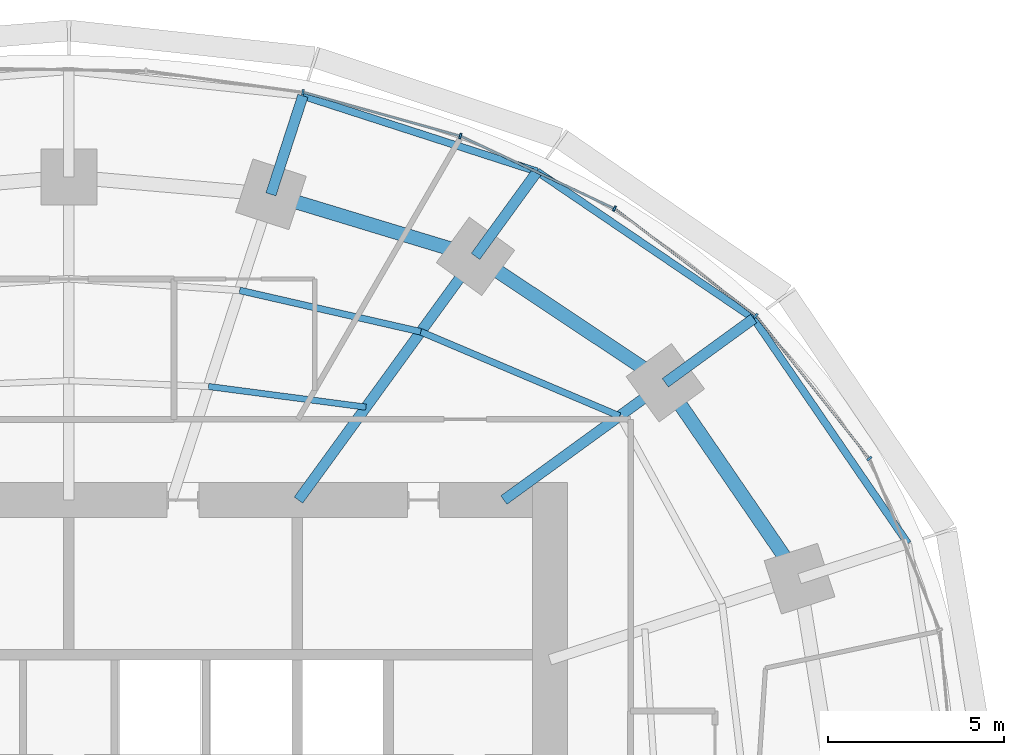
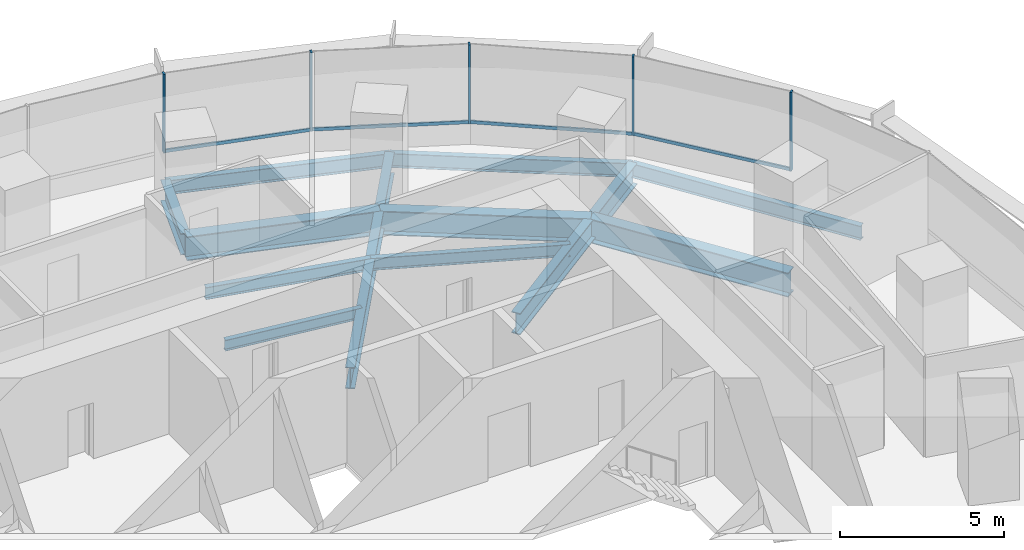
# One storey, part 8 of 14: 14 beams, 9 members, 2 elements without a shape of their own.
"""IFC4 building model written with IfcOpenShell, lengths in metres."""

from ifc_helpers import new_model, si_unit, direction, frame, origin, origin_2d, place, context, subcontext, project, spatial, rectangle, i_section, extrude, material, material_profile, profile_set, type_object, element, aggregate, save


model = new_model("IFC4")

# Units and contexts
model_context = context("Model", 3, precision=1e-05, world=origin(), true_north=direction((0.0, 1.0)))
body_context = subcontext(model_context, "Body", "Model", "MODEL_VIEW")
ifc_project = project(units=[si_unit("LENGTHUNIT", "METRE"), si_unit("AREAUNIT", "SQUARE_METRE"), si_unit("VOLUMEUNIT", "CUBIC_METRE"), si_unit("PLANEANGLEUNIT", "RADIAN"), si_unit("MASSUNIT", "GRAM", prefix="KILO")], contexts=[model_context])

# Site, building, storey
site_placement = place(None, origin())
site = spatial("IfcSite", under=ifc_project, at=site_placement, CompositionType="ELEMENT")
building_placement = place(site_placement, origin())
building = spatial("IfcBuilding", under=site, at=building_placement, Name="Marramba Exchange Tower", CompositionType="ELEMENT")
storey_placement = place(building_placement, frame((0.0, 0.0, 119.699951171875)))
storey = spatial("IfcBuildingStorey", under=building, at=storey_placement, Name="L28", CompositionType="ELEMENT", Elevation=119.699951171875)

# Beams
ifc_material_1 = material(Name="Steel AS/NZS 3679.2 grade 300", Category="steel")
ifc_material_profile_1 = material_profile(ifc_material_1, i_section(OverallWidth=0.300048828125, OverallDepth=0.800048828125, WebThickness=0.013916015625, FlangeThickness=0.031982421875, at=origin_2d()), Name="800WB192")
ifc_profile_set_1 = profile_set([ifc_material_profile_1], Name="Steel AS/NZS 3679.2 grade 300")
beam_type_1 = type_object("IfcBeamType", Name="Cantilever girder 800WB192", PredefinedType="BEAM", material=ifc_profile_set_1)
beam_1_placement = place(storey_placement, frame((16.98583984375, 12.3408203125, -0.56005859375), z_axis=(0.809013970709, 0.58778941399, 0.0), x_axis=(-0.58778941399, 0.809013970709, 0.0)))
element("IfcBeam", 1, at=beam_1_placement, inside=storey, type_object=beam_type_1, Name="Cantilever girder L28 TC03", PredefinedType="BEAM", context=body_context, shape_type="SweptSolid", body=[
    extrude(i_section(OverallWidth=0.300048828125, OverallDepth=0.800048828125, WebThickness=0.013916015625, FlangeThickness=0.031982421875, at=origin_2d()), origin(), (0.0, 0.0, 1.0), 3.1142578125),
])
beam_2_placement = place(storey_placement, frame((11.581298828125, 15.9404296875, -0.56005859375), z_axis=(0.587821738214, 0.808990484544, 0.0), x_axis=(-0.808990484544, 0.587821738214, 0.0)))
element("IfcBeam", 2, at=beam_2_placement, inside=storey, type_object=beam_type_1, Name="Cantilever girder L28 TC04", PredefinedType="BEAM", context=body_context, shape_type="SweptSolid", body=[
    extrude(i_section(OverallWidth=0.300048828125, OverallDepth=0.800048828125, WebThickness=0.013916015625, FlangeThickness=0.031982421875, at=origin_2d()), origin(), (0.0, 0.0, 1.0), 2.987060546875),
])
beam_3_placement = place(storey_placement, frame((5.75390625, 17.70849609375, -0.56005859375), z_axis=(0.309018704887, 0.951055960514, 0.0), x_axis=(-0.951055960514, 0.309018704887, 0.0)))
element("IfcBeam", 3, at=beam_3_placement, inside=storey, type_object=beam_type_1, Name="Cantilever girder L28 TC05", PredefinedType="BEAM", context=body_context, shape_type="SweptSolid", body=[
    extrude(i_section(OverallWidth=0.300048828125, OverallDepth=0.800048828125, WebThickness=0.013916015625, FlangeThickness=0.031982421875, at=origin_2d()), origin(), (0.0, 0.0, 1.0), 2.949951171875),
])
ifc_material_2 = material(Name="Steel AS/NZS 3679.1 grade 300", Category="steel")
ifc_material_profile_2 = material_profile(ifc_material_2, i_section(OverallWidth=0.177978515625, OverallDepth=0.406005859375, WebThickness=0.0078125, FlangeThickness=0.0126953125, FilletRadius=0.011474609375, at=origin_2d()), Name="410UB59.7")
ifc_profile_set_2 = profile_set([ifc_material_profile_2], Name="Steel AS/NZS 3679.1 grade 300")
beam_type_2 = type_object("IfcBeamType", Name="Floor joist 410UB59.7", PredefinedType="JOIST", material=ifc_profile_set_2)
beam_4_placement = place(storey_placement, frame((8.4619140625, 11.646728515625, -0.363037109375), z_axis=(-0.991480538255, 0.130254912618, 0.0), x_axis=(-0.130254912618, -0.991480538255, 0.0)))
element("IfcBeam", 4, at=beam_4_placement, inside=storey, type_object=beam_type_2, Name="Joist L28 bay 04 row 1", PredefinedType="JOIST", context=body_context, shape_type="SweptSolid", body=[
    extrude(i_section(OverallWidth=0.177978515625, OverallDepth=0.406005859375, WebThickness=0.0078125, FlangeThickness=0.0126953125, FilletRadius=0.011474609375, at=origin_2d()), origin(), (0.0, 0.0, 1.0), 4.524658203125),
])
ifc_material_profile_3 = material_profile(ifc_material_2, i_section(OverallWidth=0.18994140625, OverallDepth=0.4541015625, WebThickness=0.008544921875, FlangeThickness=0.0126953125, FilletRadius=0.011474609375, at=origin_2d()), Name="460UB67.1")
ifc_profile_set_3 = profile_set([ifc_material_profile_3], Name="Steel AS/NZS 3679.1 grade 300")
beam_type_3 = type_object("IfcBeamType", Name="Floor joist 460UB67.1", PredefinedType="JOIST", material=ifc_profile_set_3)
beam_5_placement = place(storey_placement, frame((15.682373046875, 11.393798828125, -0.386962890625), z_axis=(-0.920674336375, 0.390331610738, 0.0), x_axis=(-0.390331610738, -0.920674336375, 0.0)))
element("IfcBeam", 5, at=beam_5_placement, inside=storey, type_object=beam_type_3, Name="Joist L28 bay 03 row 2", PredefinedType="JOIST", context=body_context, shape_type="SweptSolid", body=[
    extrude(i_section(OverallWidth=0.18994140625, OverallDepth=0.4541015625, WebThickness=0.008544921875, FlangeThickness=0.0126953125, FilletRadius=0.011474609375, at=origin_2d()), origin(), (0.0, 0.0, 1.0), 6.1484375),
])
beam_6_placement = place(storey_placement, frame((10.021728515625, 13.793701171875, -0.386962890625), z_axis=(-0.974859652292, 0.222819788916, 0.0), x_axis=(-0.222819788916, -0.974859652292, 0.0)))
element("IfcBeam", 6, at=beam_6_placement, inside=storey, type_object=beam_type_3, Name="Joist L28 bay 04 row 2", PredefinedType="JOIST", context=body_context, shape_type="SweptSolid", body=[
    extrude(i_section(OverallWidth=0.18994140625, OverallDepth=0.4541015625, WebThickness=0.008544921875, FlangeThickness=0.0126953125, FilletRadius=0.011474609375, at=origin_2d()), origin(), (0.0, 0.0, 1.0), 5.2900390625),
])

# Curtain wall, members
ifc_material_3 = material(Name="Aluminium framing, bronze anodised", Category="aluminium")
curtain_wall_type = type_object("IfcCurtainWallType", Name="Office ribbon curtain wall", PredefinedType="USERDEFINED", material=ifc_material_3)
curtain_wall_1_placement = place(storey_placement, origin())
curtain_wall_1 = element("IfcCurtainWall", 7, at=curtain_wall_1_placement, inside=storey, type_object=curtain_wall_type, Name="Curtain wall CW4 L28 F01-F05", ObjectType="RIBBON CURTAIN WALL", PredefinedType="USERDEFINED")
ifc_material_4 = material(Name="Aluminium mullion, bronze anodised", Category="aluminium")
ifc_material_profile_4 = material_profile(ifc_material_4, rectangle(XDim=0.159912109375, YDim=0.06005859375, at=origin_2d()), Name="CW4 mullion 60x160")
ifc_profile_set_4 = profile_set([ifc_material_profile_4], Name="Aluminium mullion, bronze anodised")
member_type_1 = type_object("IfcMemberType", Name="Office ribbon curtain wall mullion", PredefinedType="MULLION", material=ifc_profile_set_4)
member_1_placement = place(storey_placement, frame((22.796630859375, 10.181640625, 0.800048828125), z_axis=(0.0, 0.0, 1.0), x_axis=(-0.783563266703, -0.621312004611, 0.0)))
member_1 = element("IfcMember", 8, at=member_1_placement, type_object=member_type_1, Name="CW4 mullion 1", PredefinedType="MULLION", context=body_context, shape_type="SweptSolid", body=[
    extrude(rectangle(XDim=0.159912109375, YDim=0.06005859375, at=origin_2d()), origin(), (0.0, 0.0, 1.0), 2.93994140625),
])
member_2_placement = place(storey_placement, frame((19.5625, 14.24853515625, 0.800048828125), z_axis=(0.0, 0.0, 1.0), x_axis=(-0.60533377223, -0.795971748366, 0.0)))
member_2 = element("IfcMember", 9, at=member_2_placement, type_object=member_type_1, Name="CW4 mullion 1", PredefinedType="MULLION", context=body_context, shape_type="SweptSolid", body=[
    extrude(rectangle(XDim=0.159912109375, YDim=0.06005859375, at=origin_2d()), origin(), (0.0, 0.0, 1.0), 2.93994140625),
])
member_3_placement = place(storey_placement, frame((15.538818359375, 17.300537109375, 0.800048828125), z_axis=(0.0, 0.0, 1.0), x_axis=(-0.426678995157, -0.904403137485, 0.0)))
member_3 = element("IfcMember", 10, at=member_3_placement, type_object=member_type_1, Name="CW4 mullion 1", PredefinedType="MULLION", context=body_context, shape_type="SweptSolid", body=[
    extrude(rectangle(XDim=0.159912109375, YDim=0.06005859375, at=origin_2d()), origin(), (0.0, 0.0, 1.0), 2.93994140625),
])

curtain_wall_2_placement = place(storey_placement, origin())
curtain_wall_2 = element("IfcCurtainWall", 11, at=curtain_wall_2_placement, inside=storey, type_object=curtain_wall_type, Name="Curtain wall CW4 L28 F06-F10", ObjectType="RIBBON CURTAIN WALL", PredefinedType="USERDEFINED")
member_4_placement = place(storey_placement, frame((11.147705078125, 19.366455078125, 0.800048828125), z_axis=(0.0, 0.0, 1.0), x_axis=(-0.268865090816, -0.963177845956, 0.0)))
member_4 = element("IfcMember", 12, at=member_4_placement, type_object=member_type_1, Name="CW4 mullion 1", PredefinedType="MULLION", context=body_context, shape_type="SweptSolid", body=[
    extrude(rectangle(XDim=0.159912109375, YDim=0.06005859375, at=origin_2d()), origin(), (0.0, 0.0, 1.0), 2.93994140625),
])
member_5_placement = place(storey_placement, frame((6.66650390625, 20.61328125, 0.800048828125), z_axis=(0.0, 0.0, 1.0), x_axis=(-0.135785837319, -0.990738212841, 0.0)))
member_5 = element("IfcMember", 13, at=member_5_placement, type_object=member_type_1, Name="CW4 mullion 1", PredefinedType="MULLION", context=body_context, shape_type="SweptSolid", body=[
    extrude(rectangle(XDim=0.159912109375, YDim=0.06005859375, at=origin_2d()), origin(), (0.0, 0.0, 1.0), 2.93994140625),
])

# Member
ifc_material_5 = material(Name="Aluminium transom, bronze anodised", Category="aluminium")
ifc_material_profile_5 = material_profile(ifc_material_5, rectangle(XDim=0.06005859375, YDim=0.1201171875, at=origin_2d()), Name="CW4 transom 60x120")
ifc_profile_set_5 = profile_set([ifc_material_profile_5], Name="Aluminium transom, bronze anodised")
member_type_2 = type_object("IfcMemberType", Name="Office ribbon curtain wall transom", PredefinedType="USERDEFINED", material=ifc_profile_set_5)
member_6_placement = place(storey_placement, frame((22.778076171875, 10.205078125, 0.830078125), z_axis=(-0.621339379472, 0.783541559534, 0.0), x_axis=(-0.783541559534, -0.621339379472, 0.0)))
member_6 = element("IfcMember", 14, at=member_6_placement, type_object=member_type_2, Name="CW4 sill transom", ObjectType="TRANSOM", PredefinedType="USERDEFINED", context=body_context, shape_type="SweptSolid", body=[
    extrude(rectangle(XDim=0.06005859375, YDim=0.1201171875, at=origin_2d()), origin(), (0.0, 0.0, 1.0), 5.13720703125),
])

member_7_placement = place(storey_placement, frame((19.53857421875, 14.2666015625, 0.830078125), z_axis=(-0.7959906025, 0.605308979556, 0.0), x_axis=(-0.605308979556, -0.7959906025, 0.0)))
member_7 = element("IfcMember", 15, at=member_7_placement, type_object=member_type_2, Name="CW4 sill transom", ObjectType="TRANSOM", PredefinedType="USERDEFINED", context=body_context, shape_type="SweptSolid", body=[
    extrude(rectangle(XDim=0.06005859375, YDim=0.1201171875, at=origin_2d()), origin(), (0.0, 0.0, 1.0), 4.99072265625),
])

member_8_placement = place(storey_placement, frame((15.51171875, 17.313232421875, 0.830078125), z_axis=(-0.904410826824, 0.426662696193, 0.0), x_axis=(-0.426662696193, -0.904410826824, 0.0)))
member_8 = element("IfcMember", 16, at=member_8_placement, type_object=member_type_2, Name="CW4 sill transom", ObjectType="TRANSOM", PredefinedType="USERDEFINED", context=body_context, shape_type="SweptSolid", body=[
    extrude(rectangle(XDim=0.06005859375, YDim=0.1201171875, at=origin_2d()), origin(), (0.0, 0.0, 1.0), 4.79345703125),
])

aggregate(curtain_wall_1, [member_1, member_6, member_2, member_7, member_3, member_8])

member_9_placement = place(storey_placement, frame((11.118896484375, 19.37451171875, 0.830078125), z_axis=(-0.963173567938, 0.268880415847, 0.0), x_axis=(-0.268880415847, -0.963173567938, 0.0)))
member_9 = element("IfcMember", 17, at=member_9_placement, type_object=member_type_2, Name="CW4 sill transom", ObjectType="TRANSOM", PredefinedType="USERDEFINED", context=body_context, shape_type="SweptSolid", body=[
    extrude(rectangle(XDim=0.06005859375, YDim=0.1201171875, at=origin_2d()), origin(), (0.0, 0.0, 1.0), 4.591796875),
])

aggregate(curtain_wall_2, [member_4, member_9, member_5])

# Beams
ifc_material_profile_6 = material_profile(ifc_material_1, i_section(OverallWidth=0.300048828125, OverallDepth=0.800048828125, WebThickness=0.013916015625, FlangeThickness=0.031982421875, at=origin_2d()), Name="800WB192")
ifc_profile_set_6 = profile_set([ifc_material_profile_6], Name="Steel AS/NZS 3679.2 grade 300")
beam_type_4 = type_object("IfcBeamType", Name="Radial girder 800WB192", PredefinedType="BEAM", material=ifc_profile_set_6)
beam_7_placement = place(storey_placement, frame((12.387451171875, 9.0, -0.56005859375), z_axis=(0.809025746925, 0.587773205252, 0.0), x_axis=(-0.587773205252, 0.809025746925, 0.0)))
element("IfcBeam", 18, at=beam_7_placement, inside=storey, type_object=beam_type_4, Name="Radial girder L28 TC03", PredefinedType="BEAM", context=body_context, shape_type="SweptSolid", body=[
    extrude(i_section(OverallWidth=0.300048828125, OverallDepth=0.800048828125, WebThickness=0.013916015625, FlangeThickness=0.031982421875, at=origin_2d()), origin(), (0.0, 0.0, 1.0), 5.683837890625),
])
beam_8_placement = place(storey_placement, frame((6.538818359375, 9.0, -0.56005859375), z_axis=(0.587782439969, 0.80901903764, 0.0), x_axis=(-0.80901903764, 0.587782439969, 0.0)))
element("IfcBeam", 19, at=beam_8_placement, inside=storey, type_object=beam_type_4, Name="Radial girder L28 TC04", PredefinedType="BEAM", context=body_context, shape_type="SweptSolid", body=[
    extrude(i_section(OverallWidth=0.300048828125, OverallDepth=0.800048828125, WebThickness=0.013916015625, FlangeThickness=0.031982421875, at=origin_2d()), origin(), (0.0, 0.0, 1.0), 8.578857421875),
])
ifc_material_profile_7 = material_profile(ifc_material_1, i_section(OverallWidth=0.39990234375, OverallDepth=0.89990234375, WebThickness=0.01611328125, FlangeThickness=0.031982421875, at=origin_2d()), Name="900WB282")
ifc_profile_set_7 = profile_set([ifc_material_profile_7], Name="Steel AS/NZS 3679.2 grade 300")
beam_type_5 = type_object("IfcBeamType", Name="Ring beam 900WB282", PredefinedType="SPANDREL", material=ifc_profile_set_7)
beam_9_placement = place(storey_placement, frame((20.808349609375, 6.760986328125, -0.60986328125), z_axis=(-0.56516002054, 0.824981303535, 0.0), x_axis=(-0.824981303535, -0.56516002054, 0.0)))
element("IfcBeam", 20, at=beam_9_placement, inside=storey, type_object=beam_type_5, Name="Ring beam L28 TC02-TC03", PredefinedType="SPANDREL", context=body_context, shape_type="SweptSolid", body=[
    extrude(i_section(OverallWidth=0.39990234375, OverallDepth=0.89990234375, WebThickness=0.01611328125, FlangeThickness=0.031982421875, at=origin_2d()), origin(), (0.0, 0.0, 1.0), 6.763671875),
])
beam_10_placement = place(storey_placement, frame((16.98583984375, 12.3408203125, -0.60986328125), z_axis=(-0.832293151443, 0.554335737673, 0.0), x_axis=(-0.554335737673, -0.832293151443, 0.0)))
element("IfcBeam", 21, at=beam_10_placement, inside=storey, type_object=beam_type_5, Name="Ring beam L28 TC03-TC04", PredefinedType="SPANDREL", context=body_context, shape_type="SweptSolid", body=[
    extrude(i_section(OverallWidth=0.39990234375, OverallDepth=0.89990234375, WebThickness=0.01611328125, FlangeThickness=0.031982421875, at=origin_2d()), origin(), (0.0, 0.0, 1.0), 6.49365234375),
])
beam_11_placement = place(storey_placement, frame((11.581298828125, 15.9404296875, -0.60986328125), z_axis=(-0.956924542524, 0.290336735387, 0.0), x_axis=(-0.290336735387, -0.956924542524, 0.0)))
element("IfcBeam", 22, at=beam_11_placement, inside=storey, type_object=beam_type_5, Name="Ring beam L28 TC04-TC05", PredefinedType="SPANDREL", context=body_context, shape_type="SweptSolid", body=[
    extrude(i_section(OverallWidth=0.39990234375, OverallDepth=0.89990234375, WebThickness=0.01611328125, FlangeThickness=0.031982421875, at=origin_2d()), origin(), (0.0, 0.0, 1.0), 6.089599609375),
])
ifc_material_profile_8 = material_profile(ifc_material_2, i_section(OverallWidth=0.208984375, OverallDepth=0.528076171875, WebThickness=0.009521484375, FlangeThickness=0.01318359375, FilletRadius=0.013916015625, at=origin_2d()), Name="530UB82.0")
ifc_profile_set_8 = profile_set([ifc_material_profile_8], Name="Steel AS/NZS 3679.1 grade 300")
beam_type_6 = type_object("IfcBeamType", Name="Slab edge beam 530UB82.0", PredefinedType="SPANDREL", material=ifc_profile_set_8)
beam_12_placement = place(storey_placement, frame((23.89501953125, 7.763916015625, -0.424072265625), z_axis=(-0.56517400038, 0.824971726361, 0.0), x_axis=(-0.824971726361, -0.56517400038, 0.0)))
element("IfcBeam", 23, at=beam_12_placement, inside=storey, type_object=beam_type_6, Name="Slab edge beam L28 TC02-TC03", PredefinedType="SPANDREL", context=body_context, shape_type="SweptSolid", body=[
    extrude(i_section(OverallWidth=0.208984375, OverallDepth=0.528076171875, WebThickness=0.009521484375, FlangeThickness=0.01318359375, FilletRadius=0.013916015625, at=origin_2d()), origin(), (0.0, 0.0, 1.0), 7.766845703125),
])
beam_13_placement = place(storey_placement, frame((19.50537109375, 14.17138671875, -0.424072265625), z_axis=(-0.827477404833, 0.561499015574, 0.0), x_axis=(-0.561499015574, -0.827477404833, 0.0)))
element("IfcBeam", 24, at=beam_13_placement, inside=storey, type_object=beam_type_6, Name="Slab edge beam L28 TC03-TC04", PredefinedType="SPANDREL", context=body_context, shape_type="SweptSolid", body=[
    extrude(i_section(OverallWidth=0.208984375, OverallDepth=0.528076171875, WebThickness=0.009521484375, FlangeThickness=0.01318359375, FilletRadius=0.013916015625, at=origin_2d()), origin(), (0.0, 0.0, 1.0), 7.454345703125),
])
beam_14_placement = place(storey_placement, frame((13.337158203125, 18.35693359375, -0.424072265625), z_axis=(-0.951496392577, 0.307659901373, 0.0), x_axis=(-0.307659901373, -0.951496392577, 0.0)))
element("IfcBeam", 25, at=beam_14_placement, inside=storey, type_object=beam_type_6, Name="Slab edge beam L28 TC04-TC05", PredefinedType="SPANDREL", context=body_context, shape_type="SweptSolid", body=[
    extrude(i_section(OverallWidth=0.208984375, OverallDepth=0.528076171875, WebThickness=0.009521484375, FlangeThickness=0.01318359375, FilletRadius=0.013916015625, at=origin_2d()), origin(), (0.0, 0.0, 1.0), 7.01171875),
])

save(model, "model.ifc")
